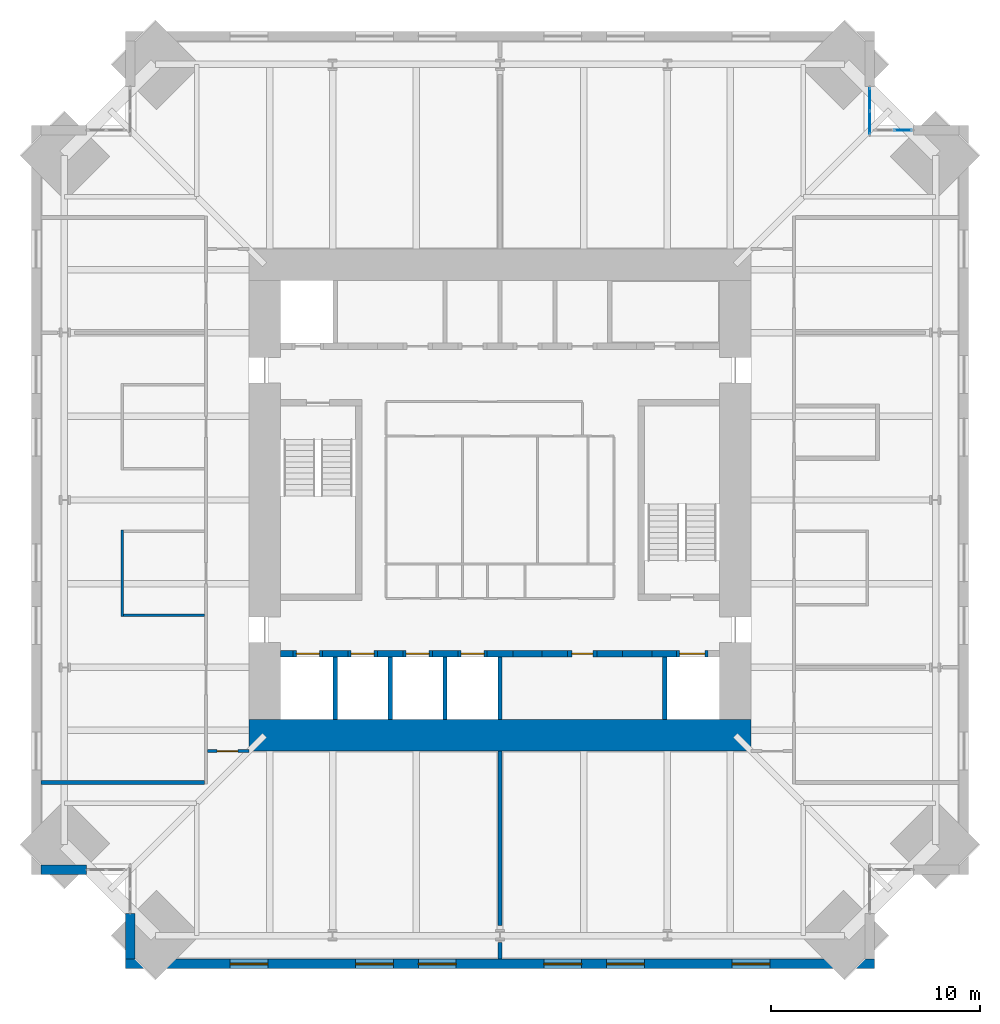
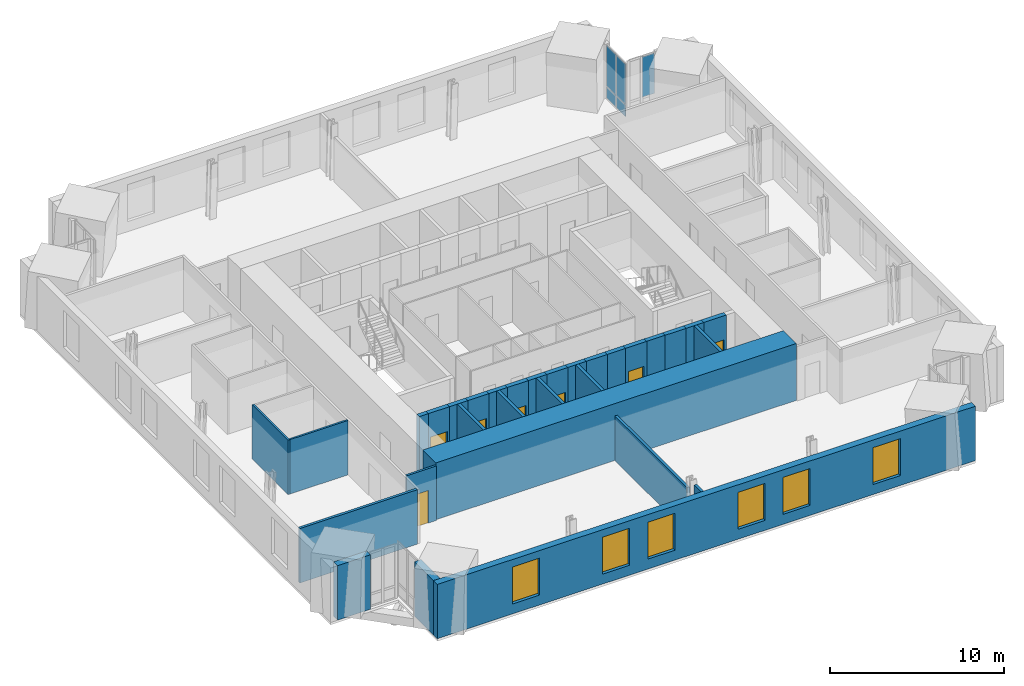
# One storey, part 13 of 18: 31 walls, 7 doors, 6 windows, 5 plates, 13 openings, 2 elements without a shape of their own.
"""IFC4 building model written with IfcOpenShell, lengths in metres."""

import ifcopenshell
import ifcopenshell.guid

model = None  # the IFC model being written
_history = None  # IfcOwnerHistory: only IFC2X3 demands one
_inside = {}  # id of a spatial element -> (the spatial element, [elements in it])
_under = {}  # id of a project, library or spatial element -> (it, [spatial elements below it])
_declared = {}  # id of a project -> (the project, [libraries it declares])
_typed = {}  # id of a type object -> (the type object, [elements of that type])
_made_of = {}  # id of a material, layer set ... -> (it, [elements and type objects made of it])


def new_model(schema):
    """Start an empty IFC model of exactly this schema.

    Asked for "IFC4X3", IfcOpenShell would pick the latest addendum, in which some entities
    have other attributes; the version numbers below select the first issue.
    IFC2X3 requires an IfcOwnerHistory on every rooted entity: one is made here for all.
    """
    global model, _history
    if schema == "IFC4X3":
        model = ifcopenshell.file(schema_version=(4, 3, 0, 0))
    else:
        model = ifcopenshell.file(schema=schema)
    _inside.clear()
    _under.clear()
    _declared.clear()
    _typed.clear()
    _made_of.clear()
    _history = None
    if model.schema == "IFC2X3":
        org = make("IfcOrganization", Name="unknown")
        user = make(
            "IfcPersonAndOrganization",
            ThePerson=make("IfcPerson", FamilyName="unknown"),
            TheOrganization=org,
        )
        app = make(
            "IfcApplication",
            ApplicationDeveloper=org,
            Version="unknown",
            ApplicationFullName="unknown",
            ApplicationIdentifier="unknown",
        )
        _history = make(
            "IfcOwnerHistory",
            OwningUser=user,
            OwningApplication=app,
            ChangeAction="ADDED",
            CreationDate=0,
        )
    return model


def make(cls, **values):
    """One entity of the class cls with the attributes given. An attribute that is None is left unset."""
    return model.create_entity(
        cls, **{name: value for name, value in values.items() if value is not None}
    )


def rooted(cls, **values):
    """An entity with a GlobalId (a new one), such as an element, a storey or a relation."""
    return make(cls, GlobalId=ifcopenshell.guid.new(), OwnerHistory=_history, **values)


def si_unit(unit_type, name, prefix=None):
    """IfcSIUnit, for example si_unit("LENGTHUNIT", "METRE", prefix="MILLI")."""
    return make("IfcSIUnit", UnitType=unit_type, Prefix=prefix, Name=name)


def assignment(units):
    """IfcUnitAssignment: the units of a project."""
    return None if units is None else make("IfcUnitAssignment", Units=units)


def point(xyz):
    """IfcCartesianPoint."""
    return None if xyz is None else make("IfcCartesianPoint", Coordinates=xyz)


def direction(xyz):
    """IfcDirection."""
    return None if xyz is None else make("IfcDirection", DirectionRatios=xyz)


def frame(location, z_axis=None, x_axis=None):
    """IfcAxis2Placement3D, a coordinate frame: its origin and axes. An axis left out is left unset."""
    return make(
        "IfcAxis2Placement3D",
        Location=point(location),
        Axis=direction(z_axis),
        RefDirection=direction(x_axis),
    )


def frame_2d(location, x_axis=None):
    """IfcAxis2Placement2D, a coordinate frame in the plane: its origin and x axis."""
    return make(
        "IfcAxis2Placement2D", Location=point(location), RefDirection=direction(x_axis)
    )


def origin():
    """The frame at (0, 0, 0) with its axes left unset."""
    return frame((0.0, 0.0, 0.0))


def origin_2d():
    """The frame at (0, 0) in the plane with its x axis left unset."""
    return frame_2d((0.0, 0.0))


def place(relative_to, where):
    """IfcLocalPlacement: puts the frame where relative to a parent placement (None: the world)."""
    return make(
        "IfcLocalPlacement", PlacementRelTo=relative_to, RelativePlacement=where
    )


def context(
    kind, dimensions, precision=None, world=None, true_north=None, identifier=None
):
    """IfcGeometricRepresentationContext, for example the 3D "Model" context."""
    return make(
        "IfcGeometricRepresentationContext",
        ContextIdentifier=identifier,
        ContextType=kind,
        CoordinateSpaceDimension=dimensions,
        Precision=precision,
        WorldCoordinateSystem=world,
        TrueNorth=true_north,
    )


def subcontext(parent, identifier, kind, view, scale=None):
    """IfcGeometricRepresentationSubContext, for example "Body" below "Model"."""
    return make(
        "IfcGeometricRepresentationSubContext",
        ContextIdentifier=identifier,
        ContextType=kind,
        ParentContext=parent,
        TargetScale=scale,
        TargetView=view,
    )


def project(units=None, contexts=None):
    """IfcProject with its units and contexts."""
    return rooted(
        "IfcProject",
        Name="project",
        RepresentationContexts=contexts,
        UnitsInContext=assignment(units),
    )


def spatial(cls, under=None, at=None, **own):
    """A site, building, storey or space (cls), placed at a placement, below another one or the project."""
    s = rooted(cls, ObjectPlacement=at, **own)
    if under is not None:
        _under.setdefault(under.id(), (under, []))[1].append(s)
    return s


def profile(cls, at=None, kind="AREA", **sizes):
    """A parametric profile (cls). Its sizes go by their IFC names, for example OverallWidth=200.0."""
    return make(cls, ProfileType=kind, Position=at, **sizes)


def rectangle(**sizes):
    """IfcRectangleProfileDef."""
    return profile("IfcRectangleProfileDef", **sizes)


def extrude(swept, where, along, depth):
    """IfcExtrudedAreaSolid: the profile swept, set in the frame where, extruded along a direction by depth."""
    return make(
        "IfcExtrudedAreaSolid",
        SweptArea=swept,
        Position=where,
        ExtrudedDirection=direction(along),
        Depth=depth,
    )


def shape(context_of_items, identifier, shape_type, items):
    """IfcShapeRepresentation: the items that make up one representation, for example the "Body"."""
    return make(
        "IfcShapeRepresentation",
        ContextOfItems=context_of_items,
        RepresentationIdentifier=identifier,
        RepresentationType=shape_type,
        Items=items,
    )


def material(Name=None, Category=None):
    """IfcMaterial."""
    return make("IfcMaterial", Name=Name, Category=Category)


def layer(
    of_material, thickness, ventilated=None, Name=None, Category=None, Priority=None
):
    """IfcMaterialLayer: one layer of a wall or slab, of a material (None: an air gap)."""
    return make(
        "IfcMaterialLayer",
        Material=of_material,
        LayerThickness=thickness,
        IsVentilated=ventilated,
        Name=Name,
        Category=Category,
        Priority=Priority,
    )


def layer_set(layers, Name=None):
    """IfcMaterialLayerSet."""
    return make("IfcMaterialLayerSet", MaterialLayers=layers, LayerSetName=Name)


def made_of(thing, what):
    """Note that an element or type object is made of a material, layer set ...; save() writes the relation."""
    if what is not None:
        _made_of.setdefault(what.id(), (what, []))[1].append(thing)
    return thing


def type_object(cls, material=None, **own):
    """A type object (cls), such as IfcWallType, which elements share."""
    return made_of(rooted(cls, **own), material)


def element(
    cls,
    number,
    at=None,
    inside=None,
    cuts=None,
    type_object=None,
    material=None,
    context=None,
    identifier="Body",
    shape_type=None,
    held_by="IfcProductDefinitionShape",
    body=None,
    shapes=None,
    **own,
):
    """One element of the class cls, such as IfcWall. Its Tag is "e" and its number.

    at: its placement. inside: the storey or other place that contains it. cuts: it is an
    opening in that element (IfcRelVoidsElement). A single representation is given by context,
    identifier, shape_type and body (its items); several are given by shapes. held_by: the class
    of the entity that holds the representations. save() writes the other relations.
    """
    e = rooted(cls, Tag="e%d" % number, ObjectPlacement=at, **own)
    if body is not None:
        shapes = [shape(context, identifier, shape_type, body)]
    if shapes is not None:
        e.Representation = make(held_by, Representations=shapes)
    if inside is not None:
        _inside.setdefault(inside.id(), (inside, []))[1].append(e)
    if cuts is not None:
        rooted(
            "IfcRelVoidsElement", RelatingBuildingElement=cuts, RelatedOpeningElement=e
        )
    if type_object is not None:
        _typed.setdefault(type_object.id(), (type_object, []))[1].append(e)
    return made_of(e, material)


def fill(opening, filler):
    """IfcRelFillsElement: the door or window that sits in an opening."""
    return rooted(
        "IfcRelFillsElement",
        RelatingOpeningElement=opening,
        RelatedBuildingElement=filler,
    )


def aggregate(whole, parts):
    """IfcRelAggregates: a whole, such as a stair, and the parts it consists of."""
    return rooted("IfcRelAggregates", RelatingObject=whole, RelatedObjects=parts)


def save(model, path):
    """Write the relations noted so far, then the file.

    IfcRelAggregates (storeys below a building ...), IfcRelContainedInSpatialStructure (elements
    in a storey), IfcRelDefinesByType, IfcRelAssociatesMaterial and IfcRelDeclares: one each for
    every whole, place, type object, material and project.
    """
    for whole, parts in _under.values():
        aggregate(whole, parts)
    for where, things in _inside.values():
        rooted(
            "IfcRelContainedInSpatialStructure",
            RelatedElements=things,
            RelatingStructure=where,
        )
    for kind, things in _typed.values():
        rooted("IfcRelDefinesByType", RelatedObjects=things, RelatingType=kind)
    for what, things in _made_of.values():
        rooted("IfcRelAssociatesMaterial", RelatedObjects=things, RelatingMaterial=what)
    for by, libraries in _declared.values():
        rooted("IfcRelDeclares", RelatingContext=by, RelatedDefinitions=libraries)
    model.write(path)


model = new_model("IFC4")

# Units and contexts
model_context = context("Model", 3, precision=1e-05, world=origin(), true_north=direction((0.0, 1.0)))
body_context = subcontext(model_context, "Body", "Model", "MODEL_VIEW")
ifc_project = project(units=[si_unit("LENGTHUNIT", "METRE"), si_unit("AREAUNIT", "SQUARE_METRE"), si_unit("VOLUMEUNIT", "CUBIC_METRE"), si_unit("PLANEANGLEUNIT", "RADIAN"), si_unit("MASSUNIT", "GRAM", prefix="KILO")], contexts=[model_context])

# Site, building, storey
site_placement = place(None, origin())
site = spatial("IfcSite", under=ifc_project, at=site_placement, CompositionType="ELEMENT")
building_placement = place(site_placement, origin())
building = spatial("IfcBuilding", under=site, at=building_placement, Name="Peilmerk Tower", CompositionType="ELEMENT")
storey_placement = place(building_placement, frame((0.0, 0.0, 249.800048828125)))
storey = spatial("IfcBuildingStorey", under=building, at=storey_placement, Name="L55", CompositionType="ELEMENT", Elevation=249.800048828125)

# Curtain wall, plates
ifc_material_1 = material(Name="Aluminium stick curtain wall", Category="aluminium")
curtain_wall_type = type_object("IfcCurtainWallType", Name="CW4 stick curtain wall, 2250 module", PredefinedType="NOTDEFINED", material=ifc_material_1)
curtain_wall_1_placement = place(storey_placement, origin())
curtain_wall_1 = element("IfcCurtainWall", 1, at=curtain_wall_1_placement, inside=storey, type_object=curtain_wall_type, Name="Curtain wall CW4 NEA L55", PredefinedType="NOTDEFINED")
ifc_material_2 = material(Name="Clear insulated glazing unit", Category="glass")
ifc_layer_1 = layer(ifc_material_2, 0.028076171875)
ifc_layer_set_1 = layer_set([ifc_layer_1], Name="Clear insulated glazing unit")
plate_type = type_object("IfcPlateType", Name="CW4-P 28 glazed panel", PredefinedType="CURTAIN_PANEL", material=ifc_layer_set_1)
plate_1_placement = place(storey_placement, frame((17.675048828125, 18.038330078125, 0.06494140625), z_axis=(0.0, 0.0, 1.0), x_axis=(0.0, 1.0, 0.0)))
plate_1 = element("IfcPlate", 2, at=plate_1_placement, type_object=plate_type, Name="CW4 panel 1.1", PredefinedType="CURTAIN_PANEL", context=body_context, shape_type="SweptSolid", body=[
    extrude(rectangle(XDim=1.046875, YDim=0.028076171875, at=origin_2d()), origin(), (0.0, 0.0, 1.0), 0.802490234375),
])
plate_2_placement = place(storey_placement, frame((17.675048828125, 18.038330078125, 0.932373046875), z_axis=(0.0, 0.0, 1.0), x_axis=(0.0, 1.0, 0.0)))
plate_2 = element("IfcPlate", 3, at=plate_2_placement, type_object=plate_type, Name="CW4 panel 1.2", PredefinedType="CURTAIN_PANEL", context=body_context, shape_type="SweptSolid", body=[
    extrude(rectangle(XDim=1.046875, YDim=0.028076171875, at=origin_2d()), origin(), (0.0, 0.0, 1.0), 2.83251953125),
])
plate_3_placement = place(storey_placement, frame((17.675048828125, 19.150146484375, 0.06494140625), z_axis=(0.0, 0.0, 1.0), x_axis=(0.0, 1.0, 0.0)))
plate_3 = element("IfcPlate", 4, at=plate_3_placement, type_object=plate_type, Name="CW4 panel 2.1", PredefinedType="CURTAIN_PANEL", context=body_context, shape_type="SweptSolid", body=[
    extrude(rectangle(XDim=1.046875, YDim=0.028076171875, at=origin_2d()), origin(), (0.0, 0.0, 1.0), 0.802490234375),
])
plate_4_placement = place(storey_placement, frame((17.675048828125, 19.150146484375, 0.932373046875), z_axis=(0.0, 0.0, 1.0), x_axis=(0.0, 1.0, 0.0)))
plate_4 = element("IfcPlate", 5, at=plate_4_placement, type_object=plate_type, Name="CW4 panel 2.2", PredefinedType="CURTAIN_PANEL", context=body_context, shape_type="SweptSolid", body=[
    extrude(rectangle(XDim=1.046875, YDim=0.028076171875, at=origin_2d()), origin(), (0.0, 0.0, 1.0), 2.83251953125),
])
aggregate(curtain_wall_1, [plate_1, plate_2, plate_3, plate_4])

# Curtain wall, plate
curtain_wall_2_placement = place(storey_placement, origin())
curtain_wall_2 = element("IfcCurtainWall", 6, at=curtain_wall_2_placement, inside=storey, type_object=curtain_wall_type, Name="Curtain wall CW4 NEB L55", PredefinedType="NOTDEFINED")
plate_5_placement = place(storey_placement, frame((19.2626953125, 17.675048828125, 0.932373046875), z_axis=(0.0, 0.0, 1.0), x_axis=(1.0, 0.0, 0.0)))
plate_5 = element("IfcPlate", 7, at=plate_5_placement, type_object=plate_type, Name="CW4 panel 2.2", PredefinedType="CURTAIN_PANEL", context=body_context, shape_type="SweptSolid", body=[
    extrude(rectangle(XDim=0.82177734375, YDim=0.028076171875, at=origin_2d()), origin(), (0.0, 0.0, 1.0), 2.83251953125),
])
aggregate(curtain_wall_2, [plate_5])

# Wall, openings, windows
ifc_material_3 = material(Name="Precast concrete C45/55, board-marked finish", Category="concrete")
ifc_layer_2 = layer(ifc_material_3, 0.449951171875)
ifc_layer_set_2 = layer_set([ifc_layer_2], Name="Precast concrete C45/55, board-marked finish")
wall_type_1 = type_object("IfcWallType", Name="EW1 450 precast concrete facade wall, board-marked", PredefinedType="SOLIDWALL", material=ifc_layer_set_2)
wall_1_placement = place(storey_placement, frame((-17.89990234375, -22.175048828125, 0.0), z_axis=(0.0, 0.0, 1.0), x_axis=(1.0, 0.0, 0.0)))
wall_1 = element("IfcWall", 8, at=wall_1_placement, inside=storey, type_object=wall_type_1, Name="Facade wall S L55", PredefinedType="SOLIDWALL", context=body_context, shape_type="SweptSolid", body=[
    extrude(rectangle(XDim=35.7998046875, YDim=0.449951171875, at=frame_2d((17.89990234375, 0.0))), origin(), (0.0, 0.0, 1.0), 3.829833984375),
])
opening_1_placement = place(wall_1_placement, frame((5.0, 0.0, 0.699951171875)))
opening_1 = element("IfcOpeningElement", 9, at=opening_1_placement, cuts=wall_1, Name="Opening W1", PredefinedType="OPENING", context=body_context, shape_type="SweptSolid", body=[
    extrude(rectangle(XDim=1.800048828125, YDim=2.60009765625, at=frame_2d((0.89990234375, 1.300048828125))), frame((0.0, 0.23486328125, 0.0), z_axis=(0.0, -1.0, 0.0), x_axis=(1.0, 0.0, 0.0)), (0.0, 0.0, 1.0), 0.469970703125),
])
opening_2_placement = place(wall_1_placement, frame((11.0, 0.0, 0.699951171875)))
opening_2 = element("IfcOpeningElement", 10, at=opening_2_placement, cuts=wall_1, Name="Opening W1", PredefinedType="OPENING", context=body_context, shape_type="SweptSolid", body=[
    extrude(rectangle(XDim=1.800048828125, YDim=2.60009765625, at=frame_2d((0.89990234375, 1.300048828125))), frame((0.0, 0.23486328125, 0.0), z_axis=(0.0, -1.0, 0.0), x_axis=(1.0, 0.0, 0.0)), (0.0, 0.0, 1.0), 0.469970703125),
])
opening_3_placement = place(wall_1_placement, frame((14.0, 0.0, 0.699951171875)))
opening_3 = element("IfcOpeningElement", 11, at=opening_3_placement, cuts=wall_1, Name="Opening W1", PredefinedType="OPENING", context=body_context, shape_type="SweptSolid", body=[
    extrude(rectangle(XDim=1.800048828125, YDim=2.60009765625, at=frame_2d((0.89990234375, 1.300048828125))), frame((0.0, 0.23486328125, 0.0), z_axis=(0.0, -1.0, 0.0), x_axis=(1.0, 0.0, 0.0)), (0.0, 0.0, 1.0), 0.469970703125),
])
opening_4_placement = place(wall_1_placement, frame((20.0, 0.0, 0.699951171875)))
opening_4 = element("IfcOpeningElement", 12, at=opening_4_placement, cuts=wall_1, Name="Opening W1", PredefinedType="OPENING", context=body_context, shape_type="SweptSolid", body=[
    extrude(rectangle(XDim=1.800048828125, YDim=2.60009765625, at=frame_2d((0.89990234375, 1.300048828125))), frame((0.0, 0.23486328125, 0.0), z_axis=(0.0, -1.0, 0.0), x_axis=(1.0, 0.0, 0.0)), (0.0, 0.0, 1.0), 0.469970703125),
])
opening_5_placement = place(wall_1_placement, frame((23.0, 0.0, 0.699951171875)))
opening_5 = element("IfcOpeningElement", 13, at=opening_5_placement, cuts=wall_1, Name="Opening W1", PredefinedType="OPENING", context=body_context, shape_type="SweptSolid", body=[
    extrude(rectangle(XDim=1.800048828125, YDim=2.60009765625, at=frame_2d((0.89990234375, 1.300048828125))), frame((0.0, 0.23486328125, 0.0), z_axis=(0.0, -1.0, 0.0), x_axis=(1.0, 0.0, 0.0)), (0.0, 0.0, 1.0), 0.469970703125),
])
opening_6_placement = place(wall_1_placement, frame((29.0, 0.0, 0.699951171875)))
opening_6 = element("IfcOpeningElement", 14, at=opening_6_placement, cuts=wall_1, Name="Opening W1", PredefinedType="OPENING", context=body_context, shape_type="SweptSolid", body=[
    extrude(rectangle(XDim=1.800048828125, YDim=2.60009765625, at=frame_2d((0.89990234375, 1.300048828125))), frame((0.0, 0.23486328125, 0.0), z_axis=(0.0, -1.0, 0.0), x_axis=(1.0, 0.0, 0.0)), (0.0, 0.0, 1.0), 0.469970703125),
])
ifc_material_4 = material(Name="Aluminium frame, clear double glazing", Category="aluminium")
window_type = type_object("IfcWindowType", Name="W1 1800x2600 office window", PartitioningType="SINGLE_PANEL", PredefinedType="WINDOW", material=ifc_material_4)
window_1_placement = place(opening_1_placement, origin())
window_1 = element("IfcWindow", 15, at=window_1_placement, inside=storey, type_object=window_type, Name="Window W1 L55", OverallHeight=2.60009765625, OverallWidth=1.800048828125, PartitioningType="SINGLE_PANEL", PredefinedType="WINDOW", context=body_context, shape_type="SweptSolid", body=[
    extrude(rectangle(XDim=1.800048828125, YDim=2.60009765625, at=frame_2d((0.89990234375, 1.300048828125))), frame((0.0, 0.030029296875, 0.0), z_axis=(0.0, -1.0, 0.0), x_axis=(1.0, 0.0, 0.0)), (0.0, 0.0, 1.0), 0.06005859375),
])
fill(opening_1, window_1)
window_2_placement = place(opening_2_placement, origin())
window_2 = element("IfcWindow", 16, at=window_2_placement, inside=storey, type_object=window_type, Name="Window W1 L55", OverallHeight=2.60009765625, OverallWidth=1.800048828125, PartitioningType="SINGLE_PANEL", PredefinedType="WINDOW", context=body_context, shape_type="SweptSolid", body=[
    extrude(rectangle(XDim=1.800048828125, YDim=2.60009765625, at=frame_2d((0.89990234375, 1.300048828125))), frame((0.0, 0.030029296875, 0.0), z_axis=(0.0, -1.0, 0.0), x_axis=(1.0, 0.0, 0.0)), (0.0, 0.0, 1.0), 0.06005859375),
])
fill(opening_2, window_2)
window_3_placement = place(opening_3_placement, origin())
window_3 = element("IfcWindow", 17, at=window_3_placement, inside=storey, type_object=window_type, Name="Window W1 L55", OverallHeight=2.60009765625, OverallWidth=1.800048828125, PartitioningType="SINGLE_PANEL", PredefinedType="WINDOW", context=body_context, shape_type="SweptSolid", body=[
    extrude(rectangle(XDim=1.800048828125, YDim=2.60009765625, at=frame_2d((0.89990234375, 1.300048828125))), frame((0.0, 0.030029296875, 0.0), z_axis=(0.0, -1.0, 0.0), x_axis=(1.0, 0.0, 0.0)), (0.0, 0.0, 1.0), 0.06005859375),
])
fill(opening_3, window_3)
window_4_placement = place(opening_4_placement, origin())
window_4 = element("IfcWindow", 18, at=window_4_placement, inside=storey, type_object=window_type, Name="Window W1 L55", OverallHeight=2.60009765625, OverallWidth=1.800048828125, PartitioningType="SINGLE_PANEL", PredefinedType="WINDOW", context=body_context, shape_type="SweptSolid", body=[
    extrude(rectangle(XDim=1.800048828125, YDim=2.60009765625, at=frame_2d((0.89990234375, 1.300048828125))), frame((0.0, 0.030029296875, 0.0), z_axis=(0.0, -1.0, 0.0), x_axis=(1.0, 0.0, 0.0)), (0.0, 0.0, 1.0), 0.06005859375),
])
fill(opening_4, window_4)
window_5_placement = place(opening_5_placement, origin())
window_5 = element("IfcWindow", 19, at=window_5_placement, inside=storey, type_object=window_type, Name="Window W1 L55", OverallHeight=2.60009765625, OverallWidth=1.800048828125, PartitioningType="SINGLE_PANEL", PredefinedType="WINDOW", context=body_context, shape_type="SweptSolid", body=[
    extrude(rectangle(XDim=1.800048828125, YDim=2.60009765625, at=frame_2d((0.89990234375, 1.300048828125))), frame((0.0, 0.030029296875, 0.0), z_axis=(0.0, -1.0, 0.0), x_axis=(1.0, 0.0, 0.0)), (0.0, 0.0, 1.0), 0.06005859375),
])
fill(opening_5, window_5)
window_6_placement = place(opening_6_placement, origin())
window_6 = element("IfcWindow", 20, at=window_6_placement, inside=storey, type_object=window_type, Name="Window W1 L55", OverallHeight=2.60009765625, OverallWidth=1.800048828125, PartitioningType="SINGLE_PANEL", PredefinedType="WINDOW", context=body_context, shape_type="SweptSolid", body=[
    extrude(rectangle(XDim=1.800048828125, YDim=2.60009765625, at=frame_2d((0.89990234375, 1.300048828125))), frame((0.0, 0.030029296875, 0.0), z_axis=(0.0, -1.0, 0.0), x_axis=(1.0, 0.0, 0.0)), (0.0, 0.0, 1.0), 0.06005859375),
])
fill(opening_6, window_6)

# Walls
for number, where, z_axis, x_axis, name in (
    (21, (-17.675048828125, -19.753662109375, 0.0), (0.0, 0.0, 1.0), (0.0, -1.0, 0.0), "Facade wall SWA L55"),
    (22, (-19.753662109375, -17.675048828125, 0.0), (0.0, 0.0, 1.0), (-1.0, 0.0, 0.0), "Facade wall SWB L55"),
):
    element("IfcWall", number, at=place(storey_placement, frame(where, z_axis=z_axis, x_axis=x_axis)), inside=storey, type_object=wall_type_1, Name=name, PredefinedType="SOLIDWALL", context=body_context, shape_type="SweptSolid", body=[
        extrude(rectangle(XDim=2.1962890625, YDim=0.449951171875, at=frame_2d((1.09814453125, 0.0))), origin(), (0.0, 0.0, 1.0), 3.829833984375),
    ])

# Wall, opening, door
ifc_material_5 = material(Name="Calcium silicate block", Category="masonry")
ifc_layer_3 = layer(ifc_material_5, 0.14990234375)
ifc_layer_set_3 = layer_set([ifc_layer_3], Name="Calcium silicate block")
wall_type_2 = type_object("IfcWallType", Name="IW1 150 corridor partition, EI 60", PredefinedType="PARTITIONING", material=ifc_layer_set_3)
wall_2_placement = place(storey_placement, frame((-12.0, -12.0, 0.0), z_axis=(0.0, 0.0, 1.0), x_axis=(-1.0, 0.0, 0.0)))
wall_2 = element("IfcWall", 23, at=wall_2_placement, inside=storey, type_object=wall_type_2, Name="Corridor wall SW L55", PredefinedType="PARTITIONING", context=body_context, shape_type="SweptSolid", body=[
    extrude(rectangle(XDim=1.97509765625, YDim=0.14990234375, at=frame_2d((0.987548828125, 0.0))), origin(), (0.0, 0.0, 1.0), 3.829833984375),
])
opening_7_placement = place(wall_2_placement, frame((0.52490234375, 0.0, 0.0)))
opening_7 = element("IfcOpeningElement", 24, at=opening_7_placement, cuts=wall_2, Name="Opening D1", PredefinedType="OPENING", context=body_context, shape_type="SweptSolid", body=[
    extrude(rectangle(XDim=1.0, YDim=2.300048828125, at=frame_2d((0.5, 1.14990234375))), frame((0.0, 0.0849609375, 0.0), z_axis=(0.0, -1.0, 0.0), x_axis=(1.0, 0.0, 0.0)), (0.0, 0.0, 1.0), 0.169921875),
])
ifc_material_6 = material(Name="Timber door in steel frame", Category="steel")
door_type_1 = type_object("IfcDoorType", Name="D1 1000x2300 room door, EI2 30", OperationType="SINGLE_SWING_LEFT", PredefinedType="DOOR", material=ifc_material_6)
door_1_placement = place(opening_7_placement, origin())
door_1 = element("IfcDoor", 25, at=door_1_placement, inside=storey, type_object=door_type_1, Name="Door Tenant suite L55", OperationType="SINGLE_SWING_LEFT", OverallHeight=2.300048828125, OverallWidth=1.0, PredefinedType="DOOR", context=body_context, shape_type="SweptSolid", body=[
    extrude(rectangle(XDim=1.0, YDim=2.300048828125, at=frame_2d((0.5, 1.14990234375))), frame((0.0, 0.02490234375, 0.0), z_axis=(0.0, -1.0, 0.0), x_axis=(1.0, 0.0, 0.0)), (0.0, 0.0, 1.0), 0.050048828125),
])
fill(opening_7, door_1)

# Walls
ifc_material_7 = material(Name="Plasterboard on steel studs, double boarded with mineral wool", Category="steel")
ifc_layer_4 = layer(ifc_material_7, 0.125)
ifc_layer_set_4 = layer_set([ifc_layer_4], Name="Plasterboard on steel studs, double boarded with mineral wool")
wall_type_3 = type_object("IfcWallType", Name="IW7 125 acoustic partition, EI 30", PredefinedType="PARTITIONING", material=ifc_layer_set_4)
wall_3_placement = place(storey_placement, frame((-18.050048828125, -5.5625, 0.0), z_axis=(0.0, 0.0, 1.0), x_axis=(0.0, 1.0, 0.0)))
element("IfcWall", 26, at=wall_3_placement, inside=storey, type_object=wall_type_3, Name="Acoustic partition Meeting room L55", PredefinedType="PARTITIONING", context=body_context, shape_type="SweptSolid", body=[
    extrude(rectangle(XDim=4.125, YDim=0.125, at=frame_2d((2.0625, 0.0))), origin(), (0.0, 0.0, 1.0), 3.829833984375),
])
wall_4_placement = place(storey_placement, frame((-14.125, -5.5, 0.0), z_axis=(0.0, 0.0, 1.0), x_axis=(-1.0, 0.0, 0.0)))
element("IfcWall", 27, at=wall_4_placement, inside=storey, type_object=wall_type_3, Name="Acoustic partition Meeting room L55", PredefinedType="PARTITIONING", context=body_context, shape_type="SweptSolid", body=[
    extrude(rectangle(XDim=3.862548828125, YDim=0.125, at=frame_2d((1.93115234375, 0.0))), origin(), (0.0, 0.0, 1.0), 3.829833984375),
])
ifc_layer_5 = layer(ifc_material_5, 0.175048828125)
ifc_layer_set_5 = layer_set([ifc_layer_5], Name="Calcium silicate block")
wall_type_4 = type_object("IfcWallType", Name="IW8 175 tenant separating wall, EI 60", PredefinedType="PARTITIONING", material=ifc_layer_set_5)
wall_5_placement = place(storey_placement, frame((-14.125, -13.5, 0.0), z_axis=(0.0, 0.0, 1.0), x_axis=(-1.0, 0.0, 0.0)))
element("IfcWall", 28, at=wall_5_placement, inside=storey, type_object=wall_type_4, Name="Tenant separating wall SW L55", PredefinedType="PARTITIONING", context=body_context, shape_type="SweptSolid", body=[
    extrude(rectangle(XDim=7.824951171875, YDim=0.175048828125, at=frame_2d((3.91259765625, 0.0))), origin(), (0.0, 0.0, 1.0), 3.829833984375),
])
wall_6_placement = place(storey_placement, frame((0.0, -12.0, 0.0), z_axis=(0.0, 0.0, 1.0), x_axis=(0.0, -1.0, 0.0)))
element("IfcWall", 29, at=wall_6_placement, inside=storey, type_object=wall_type_4, Name="Tenant separating wall S1 L55", PredefinedType="PARTITIONING", context=body_context, shape_type="SweptSolid", body=[
    extrude(rectangle(XDim=8.333251953125, YDim=0.175048828125, at=frame_2d((4.16650390625, 0.0))), origin(), (0.0, 0.0, 1.0), 3.139892578125),
])
wall_7_placement = place(storey_placement, frame((0.0, -21.15380859375, 0.0), z_axis=(0.0, 0.0, 1.0), x_axis=(0.0, -1.0, 0.0)))
element("IfcWall", 30, at=wall_7_placement, inside=storey, type_object=wall_type_4, Name="Tenant separating wall S1b L55", PredefinedType="PARTITIONING", context=body_context, shape_type="SweptSolid", body=[
    extrude(rectangle(XDim=0.796142578125, YDim=0.175048828125, at=frame_2d((0.39794921875, 0.0))), origin(), (0.0, 0.0, 1.0), 3.829833984375),
])
ifc_layer_6 = layer(ifc_material_5, 0.199951171875)
ifc_layer_set_6 = layer_set([ifc_layer_6], Name="Calcium silicate block")
wall_type_5 = type_object("IfcWallType", Name="SH1 200 shaft dividing wall, EI 120", PredefinedType="PARTITIONING", material=ifc_layer_set_6)
for number, where, z_axis, x_axis, name in (
    (31, (-7.875, -10.5, 0.0), (0.0, 0.0, 1.0), (0.0, 1.0, 0.0), "Shaft wall S C4 L55"),
    (32, (-5.25, -10.5, 0.0), (0.0, 0.0, 1.0), (0.0, 1.0, 0.0), "Shaft wall S C3 L55"),
    (33, (-2.625, -10.5, 0.0), (0.0, 0.0, 1.0), (0.0, 1.0, 0.0), "Shaft wall S C2 L55"),
    (34, (0.0, -10.5, 0.0), (0.0, 0.0, 1.0), (0.0, 1.0, 0.0), "Shaft wall S C1 L55"),
    (35, (7.875, -10.5, 0.0), (0.0, 0.0, 1.0), (0.0, 1.0, 0.0), "Shaft wall S B1 L55"),
):
    element("IfcWall", number, at=place(storey_placement, frame(where, z_axis=z_axis, x_axis=x_axis)), inside=storey, type_object=wall_type_5, Name=name, PredefinedType="PARTITIONING", context=body_context, shape_type="SweptSolid", body=[
        extrude(rectangle(XDim=3.0, YDim=0.199951171875, at=frame_2d((1.5, 0.0))), origin(), (0.0, 0.0, 1.0), 4.0),
    ])

# Wall, opening, door
ifc_layer_7 = layer(ifc_material_5, 0.300048828125)
ifc_layer_set_7 = layer_set([ifc_layer_7], Name="Calcium silicate block")
wall_type_6 = type_object("IfcWallType", Name="SH2 300 lift landing door panel, EI 120", PredefinedType="PARTITIONING", material=ifc_layer_set_7)
wall_8_placement = place(storey_placement, frame((-9.887451171875, -7.35009765625, 0.0), z_axis=(0.0, 0.0, 1.0), x_axis=(1.0, 0.0, 0.0)))
wall_8 = element("IfcWall", 36, at=wall_8_placement, inside=storey, type_object=wall_type_6, Name="Lift door panel S C4 L55", PredefinedType="PARTITIONING", context=body_context, shape_type="SweptSolid", body=[
    extrude(rectangle(XDim=1.39990234375, YDim=0.300048828125, at=frame_2d((0.699951171875, 0.0))), origin(), (0.0, 0.0, 1.0), 4.0),
])
opening_8_placement = place(wall_8_placement, frame((0.14990234375, 0.0, 0.0)))
opening_8 = element("IfcOpeningElement", 37, at=opening_8_placement, cuts=wall_8, Name="Opening LD1", PredefinedType="OPENING", context=body_context, shape_type="SweptSolid", body=[
    extrude(rectangle(XDim=1.10009765625, YDim=2.300048828125, at=frame_2d((0.550048828125, 1.14990234375))), frame((0.0, 0.159912109375, 0.0), z_axis=(0.0, -1.0, 0.0), x_axis=(1.0, 0.0, 0.0)), (0.0, 0.0, 1.0), 0.320068359375),
])
ifc_material_8 = material(Name="Stainless steel landing door", Category="steel")
door_type_2 = type_object("IfcDoorType", Name="LD1 1100x2300 lift landing door, sliding, EI2 60", OperationType="SLIDING_TO_LEFT", PredefinedType="DOOR", material=ifc_material_8)
door_2_placement = place(opening_8_placement, origin())
door_2 = element("IfcDoor", 38, at=door_2_placement, inside=storey, type_object=door_type_2, Name="Lift landing door C4 L55", OperationType="SLIDING_TO_LEFT", OverallHeight=2.300048828125, OverallWidth=1.10009765625, PredefinedType="DOOR", context=body_context, shape_type="SweptSolid", body=[
    extrude(rectangle(XDim=1.10009765625, YDim=2.300048828125, at=frame_2d((0.550048828125, 1.14990234375))), frame((0.0, 0.02490234375, 0.0), z_axis=(0.0, -1.0, 0.0), x_axis=(1.0, 0.0, 0.0)), (0.0, 0.0, 1.0), 0.050048828125),
])
fill(opening_8, door_2)

wall_9_placement = place(storey_placement, frame((-7.262451171875, -7.35009765625, 0.0), z_axis=(0.0, 0.0, 1.0), x_axis=(1.0, 0.0, 0.0)))
wall_9 = element("IfcWall", 39, at=wall_9_placement, inside=storey, type_object=wall_type_6, Name="Lift door panel S C3 L55", PredefinedType="PARTITIONING", context=body_context, shape_type="SweptSolid", body=[
    extrude(rectangle(XDim=1.39990234375, YDim=0.300048828125, at=frame_2d((0.699951171875, 0.0))), origin(), (0.0, 0.0, 1.0), 4.0),
])
opening_9_placement = place(wall_9_placement, frame((0.14990234375, 0.0, 0.0)))
opening_9 = element("IfcOpeningElement", 40, at=opening_9_placement, cuts=wall_9, Name="Opening LD1", PredefinedType="OPENING", context=body_context, shape_type="SweptSolid", body=[
    extrude(rectangle(XDim=1.10009765625, YDim=2.300048828125, at=frame_2d((0.550048828125, 1.14990234375))), frame((0.0, 0.159912109375, 0.0), z_axis=(0.0, -1.0, 0.0), x_axis=(1.0, 0.0, 0.0)), (0.0, 0.0, 1.0), 0.320068359375),
])
door_3_placement = place(opening_9_placement, origin())
door_3 = element("IfcDoor", 41, at=door_3_placement, inside=storey, type_object=door_type_2, Name="Lift landing door C3 L55", OperationType="SLIDING_TO_LEFT", OverallHeight=2.300048828125, OverallWidth=1.10009765625, PredefinedType="DOOR", context=body_context, shape_type="SweptSolid", body=[
    extrude(rectangle(XDim=1.10009765625, YDim=2.300048828125, at=frame_2d((0.550048828125, 1.14990234375))), frame((0.0, 0.02490234375, 0.0), z_axis=(0.0, -1.0, 0.0), x_axis=(1.0, 0.0, 0.0)), (0.0, 0.0, 1.0), 0.050048828125),
])
fill(opening_9, door_3)

wall_10_placement = place(storey_placement, frame((-4.637451171875, -7.35009765625, 0.0), z_axis=(0.0, 0.0, 1.0), x_axis=(1.0, 0.0, 0.0)))
wall_10 = element("IfcWall", 42, at=wall_10_placement, inside=storey, type_object=wall_type_6, Name="Lift door panel S C2 L55", PredefinedType="PARTITIONING", context=body_context, shape_type="SweptSolid", body=[
    extrude(rectangle(XDim=1.39990234375, YDim=0.300048828125, at=frame_2d((0.699951171875, 0.0))), origin(), (0.0, 0.0, 1.0), 4.0),
])
opening_10_placement = place(wall_10_placement, frame((0.14990234375, 0.0, 0.0)))
opening_10 = element("IfcOpeningElement", 43, at=opening_10_placement, cuts=wall_10, Name="Opening LD1", PredefinedType="OPENING", context=body_context, shape_type="SweptSolid", body=[
    extrude(rectangle(XDim=1.10009765625, YDim=2.300048828125, at=frame_2d((0.550048828125, 1.14990234375))), frame((0.0, 0.159912109375, 0.0), z_axis=(0.0, -1.0, 0.0), x_axis=(1.0, 0.0, 0.0)), (0.0, 0.0, 1.0), 0.320068359375),
])
door_4_placement = place(opening_10_placement, origin())
door_4 = element("IfcDoor", 44, at=door_4_placement, inside=storey, type_object=door_type_2, Name="Lift landing door C2 L55", OperationType="SLIDING_TO_LEFT", OverallHeight=2.300048828125, OverallWidth=1.10009765625, PredefinedType="DOOR", context=body_context, shape_type="SweptSolid", body=[
    extrude(rectangle(XDim=1.10009765625, YDim=2.300048828125, at=frame_2d((0.550048828125, 1.14990234375))), frame((0.0, 0.02490234375, 0.0), z_axis=(0.0, -1.0, 0.0), x_axis=(1.0, 0.0, 0.0)), (0.0, 0.0, 1.0), 0.050048828125),
])
fill(opening_10, door_4)

wall_11_placement = place(storey_placement, frame((-2.012451171875, -7.35009765625, 0.0), z_axis=(0.0, 0.0, 1.0), x_axis=(1.0, 0.0, 0.0)))
wall_11 = element("IfcWall", 45, at=wall_11_placement, inside=storey, type_object=wall_type_6, Name="Lift door panel S C1 L55", PredefinedType="PARTITIONING", context=body_context, shape_type="SweptSolid", body=[
    extrude(rectangle(XDim=1.39990234375, YDim=0.300048828125, at=frame_2d((0.699951171875, 0.0))), origin(), (0.0, 0.0, 1.0), 4.0),
])
opening_11_placement = place(wall_11_placement, frame((0.14990234375, 0.0, 0.0)))
opening_11 = element("IfcOpeningElement", 46, at=opening_11_placement, cuts=wall_11, Name="Opening LD1", PredefinedType="OPENING", context=body_context, shape_type="SweptSolid", body=[
    extrude(rectangle(XDim=1.10009765625, YDim=2.300048828125, at=frame_2d((0.550048828125, 1.14990234375))), frame((0.0, 0.159912109375, 0.0), z_axis=(0.0, -1.0, 0.0), x_axis=(1.0, 0.0, 0.0)), (0.0, 0.0, 1.0), 0.320068359375),
])
door_5_placement = place(opening_11_placement, origin())
door_5 = element("IfcDoor", 47, at=door_5_placement, inside=storey, type_object=door_type_2, Name="Lift landing door C1 L55", OperationType="SLIDING_TO_LEFT", OverallHeight=2.300048828125, OverallWidth=1.10009765625, PredefinedType="DOOR", context=body_context, shape_type="SweptSolid", body=[
    extrude(rectangle(XDim=1.10009765625, YDim=2.300048828125, at=frame_2d((0.550048828125, 1.14990234375))), frame((0.0, 0.02490234375, 0.0), z_axis=(0.0, -1.0, 0.0), x_axis=(1.0, 0.0, 0.0)), (0.0, 0.0, 1.0), 0.050048828125),
])
fill(opening_11, door_5)

# Wall
wall_12_placement = place(storey_placement, frame((0.612548828125, -7.35009765625, 0.0), z_axis=(0.0, 0.0, 1.0), x_axis=(1.0, 0.0, 0.0)))
element("IfcWall", 48, at=wall_12_placement, inside=storey, type_object=wall_type_6, Name="Lift door panel S B3 L55", PredefinedType="PARTITIONING", context=body_context, shape_type="SweptSolid", body=[
    extrude(rectangle(XDim=1.39990234375, YDim=0.300048828125, at=frame_2d((0.699951171875, 0.0))), origin(), (0.0, 0.0, 1.0), 4.0),
])

# Wall, opening, door
wall_13_placement = place(storey_placement, frame((3.237548828125, -7.35009765625, 0.0), z_axis=(0.0, 0.0, 1.0), x_axis=(1.0, 0.0, 0.0)))
wall_13 = element("IfcWall", 49, at=wall_13_placement, inside=storey, type_object=wall_type_6, Name="Lift door panel S B2 L55", PredefinedType="PARTITIONING", context=body_context, shape_type="SweptSolid", body=[
    extrude(rectangle(XDim=1.39990234375, YDim=0.300048828125, at=frame_2d((0.699951171875, 0.0))), origin(), (0.0, 0.0, 1.0), 4.0),
])
opening_12_placement = place(wall_13_placement, frame((0.199951171875, 0.0, 0.0)))
opening_12 = element("IfcOpeningElement", 50, at=opening_12_placement, cuts=wall_13, Name="Opening D10", PredefinedType="OPENING", context=body_context, shape_type="SweptSolid", body=[
    extrude(rectangle(XDim=1.0, YDim=2.300048828125, at=frame_2d((0.5, 1.14990234375))), frame((0.0, 0.159912109375, 0.0), z_axis=(0.0, -1.0, 0.0), x_axis=(1.0, 0.0, 0.0)), (0.0, 0.0, 1.0), 0.320068359375),
])
ifc_material_9 = material(Name="Steel door in steel frame", Category="steel")
door_type_3 = type_object("IfcDoorType", Name="D10 1000x2300 core room door, EI2 60", OperationType="SINGLE_SWING_RIGHT", PredefinedType="DOOR", material=ifc_material_9)
door_6_placement = place(opening_12_placement, frame((1.0, 0.0, 0.0), z_axis=(0.0, 0.0, 1.0), x_axis=(-1.0, 0.0, 0.0)))
door_6 = element("IfcDoor", 51, at=door_6_placement, inside=storey, type_object=door_type_3, Name="Door Mail room L55", OperationType="SINGLE_SWING_RIGHT", OverallHeight=2.300048828125, OverallWidth=1.0, PredefinedType="DOOR", context=body_context, shape_type="SweptSolid", body=[
    extrude(rectangle(XDim=1.0, YDim=2.300048828125, at=frame_2d((0.5, 1.14990234375))), frame((0.0, 0.02490234375, 0.0), z_axis=(0.0, -1.0, 0.0), x_axis=(1.0, 0.0, 0.0)), (0.0, 0.0, 1.0), 0.050048828125),
])
fill(opening_12, door_6)

# Wall
wall_14_placement = place(storey_placement, frame((5.862548828125, -7.35009765625, 0.0), z_axis=(0.0, 0.0, 1.0), x_axis=(1.0, 0.0, 0.0)))
element("IfcWall", 52, at=wall_14_placement, inside=storey, type_object=wall_type_6, Name="Lift door panel S B1 L55", PredefinedType="PARTITIONING", context=body_context, shape_type="SweptSolid", body=[
    extrude(rectangle(XDim=1.39990234375, YDim=0.300048828125, at=frame_2d((0.699951171875, 0.0))), origin(), (0.0, 0.0, 1.0), 4.0),
])

# Wall, opening, door
wall_15_placement = place(storey_placement, frame((8.4375, -7.35009765625, 0.0), z_axis=(0.0, 0.0, 1.0), x_axis=(1.0, 0.0, 0.0)))
wall_15 = element("IfcWall", 53, at=wall_15_placement, inside=storey, type_object=wall_type_6, Name="Lift door panel S FL2 L55", PredefinedType="PARTITIONING", context=body_context, shape_type="SweptSolid", body=[
    extrude(rectangle(XDim=1.5, YDim=0.300048828125, at=frame_2d((0.75, 0.0))), origin(), (0.0, 0.0, 1.0), 4.0),
])
opening_13_placement = place(wall_15_placement, frame((0.14990234375, 0.0, 0.0)))
opening_13 = element("IfcOpeningElement", 54, at=opening_13_placement, cuts=wall_15, Name="Opening LD2", PredefinedType="OPENING", context=body_context, shape_type="SweptSolid", body=[
    extrude(rectangle(XDim=1.199951171875, YDim=2.300048828125, at=frame_2d((0.60009765625, 1.14990234375))), frame((0.0, 0.159912109375, 0.0), z_axis=(0.0, -1.0, 0.0), x_axis=(1.0, 0.0, 0.0)), (0.0, 0.0, 1.0), 0.320068359375),
])
door_type_4 = type_object("IfcDoorType", Name="LD2 1200x2300 lift landing door, sliding, EI2 60", OperationType="SLIDING_TO_LEFT", PredefinedType="DOOR", material=ifc_material_8)
door_7_placement = place(opening_13_placement, origin())
door_7 = element("IfcDoor", 55, at=door_7_placement, inside=storey, type_object=door_type_4, Name="Lift landing door FL2 L55", OperationType="SLIDING_TO_LEFT", OverallHeight=2.300048828125, OverallWidth=1.199951171875, PredefinedType="DOOR", context=body_context, shape_type="SweptSolid", body=[
    extrude(rectangle(XDim=1.199951171875, YDim=2.300048828125, at=frame_2d((0.60009765625, 1.14990234375))), frame((0.0, 0.02490234375, 0.0), z_axis=(0.0, -1.0, 0.0), x_axis=(1.0, 0.0, 0.0)), (0.0, 0.0, 1.0), 0.050048828125),
])
fill(opening_13, door_7)

# Walls
ifc_material_10 = material(Name="Concrete C55/67", Category="concrete")
ifc_layer_8 = layer(ifc_material_10, 1.5)
ifc_layer_set_8 = layer_set([ifc_layer_8], Name="Concrete C55/67")
wall_type_7 = type_object("IfcWallType", Name="SW1 1500 core wall", PredefinedType="SHEAR", material=ifc_layer_set_8)
wall_16_placement = place(storey_placement, frame((12.0, -11.25, 0.0), z_axis=(0.0, 0.0, 1.0), x_axis=(-1.0, 0.0, 0.0)))
element("IfcWall", 56, at=wall_16_placement, inside=storey, type_object=wall_type_7, Name="Core wall S L55", PredefinedType="SHEAR", context=body_context, shape_type="SweptSolid", body=[
    extrude(rectangle(XDim=24.0, YDim=1.5, at=frame_2d((12.0, 0.0))), origin(), (0.0, 0.0, 1.0), 4.0),
])
ifc_layer_9 = layer(ifc_material_10, 0.300048828125)
ifc_layer_set_9 = layer_set([ifc_layer_9], Name="Concrete C55/67")
wall_type_8 = type_object("IfcWallType", Name="SW2 300 lift bank pier", PredefinedType="SHEAR", material=ifc_layer_set_9)
wall_17_placement = place(storey_placement, frame((-10.5, -7.35009765625, 0.0), z_axis=(0.0, 0.0, 1.0), x_axis=(1.0, 0.0, 0.0)))
element("IfcWall", 57, at=wall_17_placement, inside=storey, type_object=wall_type_8, Name="Lift bank pier S L55", PredefinedType="SHEAR", context=body_context, shape_type="SweptSolid", body=[
    extrude(rectangle(XDim=0.612548828125, YDim=0.300048828125, at=frame_2d((0.30615234375, 0.0))), origin(), (0.0, 0.0, 1.0), 4.0),
])
for number, where, z_axis, x_axis, name in (
    (58, (-8.487548828125, -7.35009765625, 0.0), (0.0, 0.0, 1.0), (1.0, 0.0, 0.0), "Lift bank pier S L55"),
    (59, (-5.862548828125, -7.35009765625, 0.0), (0.0, 0.0, 1.0), (1.0, 0.0, 0.0), "Lift bank pier S L55"),
    (60, (-3.237548828125, -7.35009765625, 0.0), (0.0, 0.0, 1.0), (1.0, 0.0, 0.0), "Lift bank pier S L55"),
    (61, (-0.612548828125, -7.35009765625, 0.0), (0.0, 0.0, 1.0), (1.0, 0.0, 0.0), "Lift bank pier S L55"),
    (62, (2.012451171875, -7.35009765625, 0.0), (0.0, 0.0, 1.0), (1.0, 0.0, 0.0), "Lift bank pier S L55"),
    (63, (4.637451171875, -7.35009765625, 0.0), (0.0, 0.0, 1.0), (1.0, 0.0, 0.0), "Lift bank pier S L55"),
):
    element("IfcWall", number, at=place(storey_placement, frame(where, z_axis=z_axis, x_axis=x_axis)), inside=storey, type_object=wall_type_8, Name=name, PredefinedType="SHEAR", context=body_context, shape_type="SweptSolid", body=[
        extrude(rectangle(XDim=1.22509765625, YDim=0.300048828125, at=frame_2d((0.612548828125, 0.0))), origin(), (0.0, 0.0, 1.0), 4.0),
    ])
wall_18_placement = place(storey_placement, frame((7.262451171875, -7.35009765625, 0.0), z_axis=(0.0, 0.0, 1.0), x_axis=(1.0, 0.0, 0.0)))
element("IfcWall", 64, at=wall_18_placement, inside=storey, type_object=wall_type_8, Name="Lift bank pier S L55", PredefinedType="SHEAR", context=body_context, shape_type="SweptSolid", body=[
    extrude(rectangle(XDim=1.175048828125, YDim=0.300048828125, at=frame_2d((0.58740234375, 0.0))), origin(), (0.0, 0.0, 1.0), 4.0),
])

save(model, "model.ifc")
